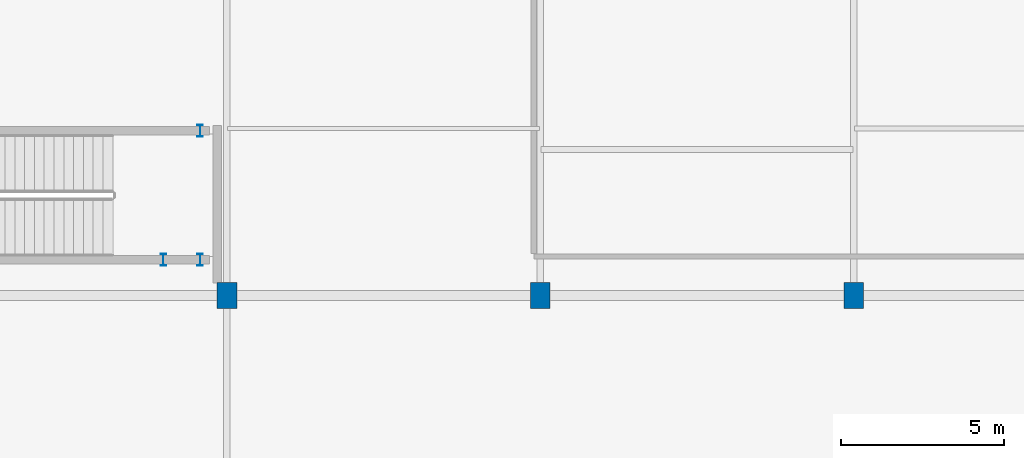
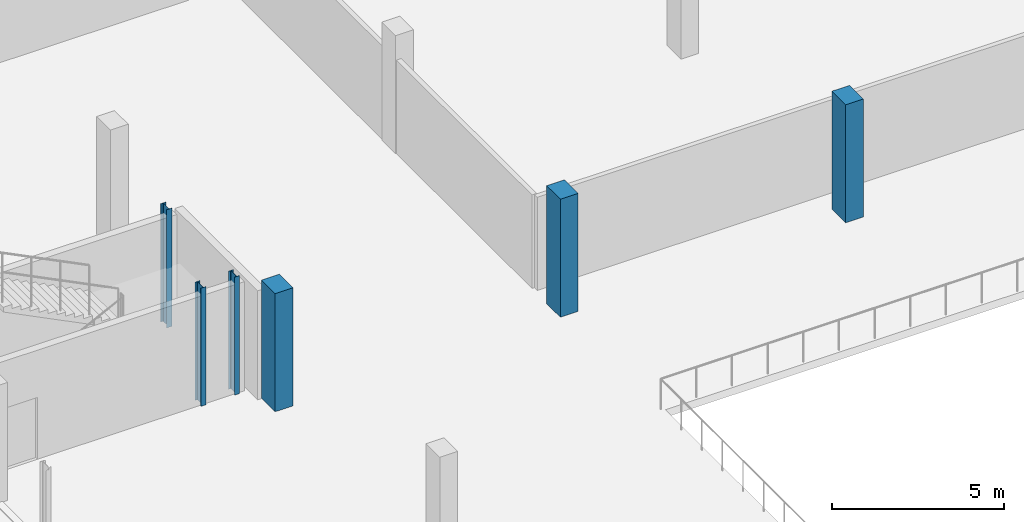
# One storey, part 13 of 47: 6 columns.
"""IFC4 building model written with IfcOpenShell, lengths in metres."""

from ifc_helpers import new_model, si_unit, direction, frame, origin, origin_2d, place, context, subcontext, project, spatial, rectangle, i_section, extrude, material, material_profile, profile_set, type_object, element, save


model = new_model("IFC4")

# Units and contexts
model_context = context("Model", 3, precision=1e-05, world=origin(), true_north=direction((0.0, 1.0)))
body_context = subcontext(model_context, "Body", "Model", "MODEL_VIEW")
ifc_project = project(units=[si_unit("LENGTHUNIT", "METRE"), si_unit("AREAUNIT", "SQUARE_METRE"), si_unit("VOLUMEUNIT", "CUBIC_METRE"), si_unit("PLANEANGLEUNIT", "RADIAN"), si_unit("MASSUNIT", "GRAM", prefix="KILO")], contexts=[model_context])

# Site, building, storey
site_placement = place(None, origin())
site = spatial("IfcSite", under=ifc_project, at=site_placement, CompositionType="ELEMENT")
building_placement = place(site_placement, origin())
building = spatial("IfcBuilding", under=site, at=building_placement, Name="Zevrakil Square Congress Hotel", CompositionType="ELEMENT")
storey_placement = place(building_placement, frame((0.0, 0.0, -4.199951171875)))
storey = spatial("IfcBuildingStorey", under=building, at=storey_placement, Name="B1", CompositionType="ELEMENT", Elevation=-4.199951171875)

# Columns
ifc_material_1 = material(Name="Steel S355", Category="steel")
ifc_material_profile_1 = material_profile(ifc_material_1, i_section(OverallWidth=0.169921875, OverallDepth=0.360107421875, WebThickness=0.008056640625, FlangeThickness=0.0126953125, FilletRadius=0.01806640625, at=origin_2d()), Name="IPE 360")
ifc_profile_set_1 = profile_set([ifc_material_profile_1], Name="Steel S355")
column_type_1 = type_object("IfcColumnType", Name="COL-PILASTER-SHS180", PredefinedType="PILASTER", material=ifc_profile_set_1)
for number, where, z_axis, x_axis, name in (
    (1, (62.85009765625, 85.10009765625, 0.0), (0.0, 0.0, 1.0), (1.0, 0.0, 0.0), "B1 ST05 stair shaft post 1"),
    (2, (63.97998046875, 85.10009765625, 0.0), (0.0, 0.0, 1.0), (1.0, 0.0, 0.0), "B1 ST05 stair shaft post 2"),
    (3, (63.97998046875, 89.050048828125, 0.0), (0.0, 0.0, 1.0), (1.0, 0.0, 0.0), "B1 ST05 stair shaft post 3"),
):
    element("IfcColumn", number, at=place(storey_placement, frame(where, z_axis=z_axis, x_axis=x_axis)), inside=storey, type_object=column_type_1, Name=name, PredefinedType="PILASTER", context=body_context, shape_type="SweptSolid", body=[
        extrude(i_section(OverallWidth=0.169921875, OverallDepth=0.360107421875, WebThickness=0.008056640625, FlangeThickness=0.0126953125, FilletRadius=0.01806640625, at=origin_2d()), origin(), (0.0, 0.0, 1.0), 4.199951171875),
    ])
ifc_material_2 = material(Name="Concrete C40/50", Category="concrete")
ifc_material_profile_2 = material_profile(ifc_material_2, rectangle(XDim=0.60009765625, YDim=0.800048828125, at=origin_2d()), Name="RC 600x800")
ifc_profile_set_2 = profile_set([ifc_material_profile_2], Name="Concrete C40/50")
column_type_2 = type_object("IfcColumnType", Name="COL-RC600x800", PredefinedType="COLUMN", material=ifc_profile_set_2)
for number, where, z_axis, x_axis, name in (
    (4, (64.800048828125, 84.0, 0.0), (0.0, 0.0, 1.0), (1.0, 0.0, 0.0), "B1 column C-108"),
    (5, (74.39990234375, 84.0, 0.0), (0.0, 0.0, 1.0), (1.0, 0.0, 0.0), "B1 column C-120"),
    (6, (84.0, 84.0, 0.0), (0.0, 0.0, 1.0), (1.0, 0.0, 0.0), "B1 column C-132"),
):
    element("IfcColumn", number, at=place(storey_placement, frame(where, z_axis=z_axis, x_axis=x_axis)), inside=storey, type_object=column_type_2, Name=name, PredefinedType="COLUMN", context=body_context, shape_type="SweptSolid", body=[
        extrude(rectangle(XDim=0.60009765625, YDim=0.800048828125, at=origin_2d()), origin(), (0.0, 0.0, 1.0), 4.199951171875),
    ])

save(model, "model.ifc")
